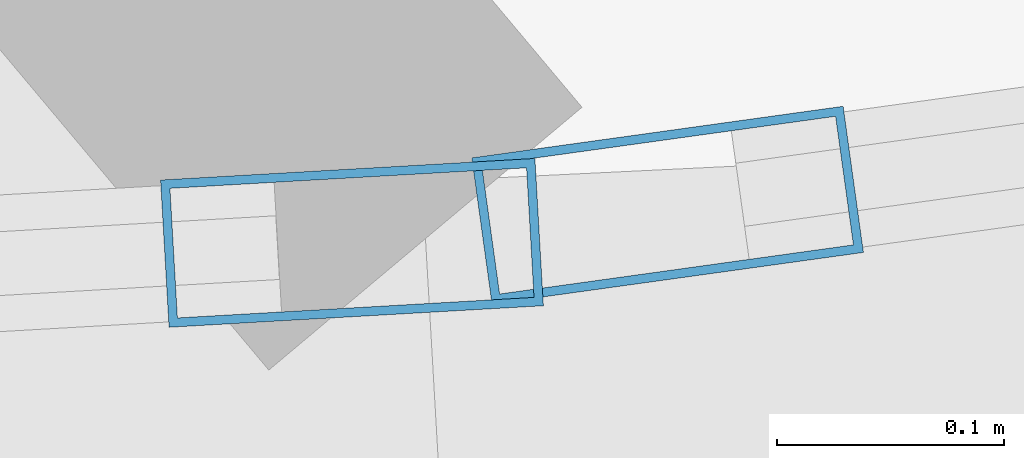
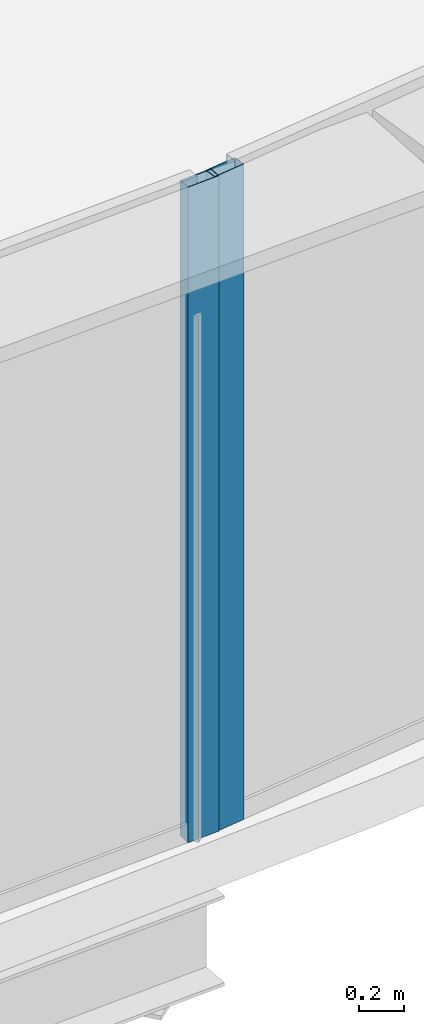
# One storey, part 12 of 37: 2 members, 2 elements without a shape of their own.
"""IFC4 building model written with IfcOpenShell, lengths in metres."""

from ifc_helpers import new_model, si_unit, direction, frame, origin, origin_2d, place, context, subcontext, project, spatial, hollow_rectangle, extrude, source, transform, mapped, material, layer, layer_set, material_profile, profile_set, type_object, element, aggregate, save


model = new_model("IFC4")

# Units and contexts
model_context = context("Model", 3, precision=1e-05, world=origin(), true_north=direction((0.0, 1.0)))
body_context = subcontext(model_context, "Body", "Model", "MODEL_VIEW")
ifc_project = project(units=[si_unit("LENGTHUNIT", "METRE"), si_unit("AREAUNIT", "SQUARE_METRE"), si_unit("VOLUMEUNIT", "CUBIC_METRE"), si_unit("PLANEANGLEUNIT", "RADIAN"), si_unit("MASSUNIT", "GRAM", prefix="KILO"), si_unit("THERMODYNAMICTEMPERATUREUNIT", "KELVIN"), si_unit("POWERUNIT", "WATT")], contexts=[model_context])

# Site, building, storey
site_placement = place(None, origin())
site = spatial("IfcSite", under=ifc_project, at=site_placement, CompositionType="ELEMENT")
building_placement = place(site_placement, origin())
building = spatial("IfcBuilding", under=site, at=building_placement, Name="Yunzhuo Pagoda Commons", CompositionType="ELEMENT")
storey_placement = place(building_placement, frame((0.0, 0.0, 84.97998046875)))
storey = spatial("IfcBuildingStorey", under=building, at=storey_placement, Name="L21", CompositionType="ELEMENT", Elevation=84.97998046875)

# Curtain wall, member
ifc_material = material(Name="Anodized aluminium 6063-T6", Category="aluminium")
ifc_layer = layer(ifc_material, 0.1650390625)
ifc_layer_set = layer_set([ifc_layer], Name="Anodized aluminium 6063-T6")
curtain_wall_type = type_object("IfcCurtainWallType", Name="CW-LOW Low-Zone Ribbon Curtain Wall", PredefinedType="NOTDEFINED", material=ifc_layer_set)
curtain_wall_1_placement = place(storey_placement, origin())
curtain_wall_1 = element("IfcCurtainWall", 1, at=curtain_wall_1_placement, inside=storey, type_object=curtain_wall_type, Name="L21 curtain wall CW-L21-F1B4", PredefinedType="NOTDEFINED")
ifc_material_profile = material_profile(ifc_material, hollow_rectangle(XDim=0.06494140625, YDim=0.1650390625, WallThickness=0.00390625, at=origin_2d()), Name="Anodized aluminium 6063-T6")
ifc_profile_set = profile_set([ifc_material_profile], Name="Anodized aluminium 6063-T6")
member_type = type_object("IfcMemberType", Name="CW-LOW-M Mullion RHS 165x65x4", PredefinedType="MULLION", material=ifc_profile_set)
shared_shape = source(origin(), body_context, "Body", "SweptSolid", [
    extrude(hollow_rectangle(XDim=0.06494140625, YDim=0.1650390625, WallThickness=0.00390625, at=origin_2d()), origin(), (0.0, 0.0, 1.0), 3.5400390625),
])
member_1_placement = place(storey_placement, frame((65.929931640625, 12.291748046875, 0.000244140625), z_axis=(0.0, 0.0, 1.0), x_axis=(-0.057418382325, 0.998350203772, 0.0)))
member_1 = element("IfcMember", 2, at=member_1_placement, type_object=member_type, Name="CW mullion 2", PredefinedType="MULLION", context=body_context, shape_type="MappedRepresentation", body=[
    mapped(shared_shape, transform((0.0, 0.0, 0.0), scale=1.0)),
])
aggregate(curtain_wall_1, [member_1])

curtain_wall_2_placement = place(storey_placement, origin())
curtain_wall_2 = element("IfcCurtainWall", 3, at=curtain_wall_2_placement, inside=storey, type_object=curtain_wall_type, Name="L21 curtain wall CW-L21-F1B5", PredefinedType="NOTDEFINED")
member_2_placement = place(storey_placement, frame((66.06884765625, 12.308349609375, 0.000244140625), z_axis=(0.0, 0.0, 1.0), x_axis=(-0.137495700118, 0.990502363677, 0.0)))
member_2 = element("IfcMember", 4, at=member_2_placement, type_object=member_type, Name="CW mullion 1", PredefinedType="MULLION", context=body_context, shape_type="MappedRepresentation", body=[
    mapped(shared_shape, transform((0.0, 0.0, 0.0), scale=1.0)),
])
aggregate(curtain_wall_2, [member_2])

save(model, "model.ifc")
